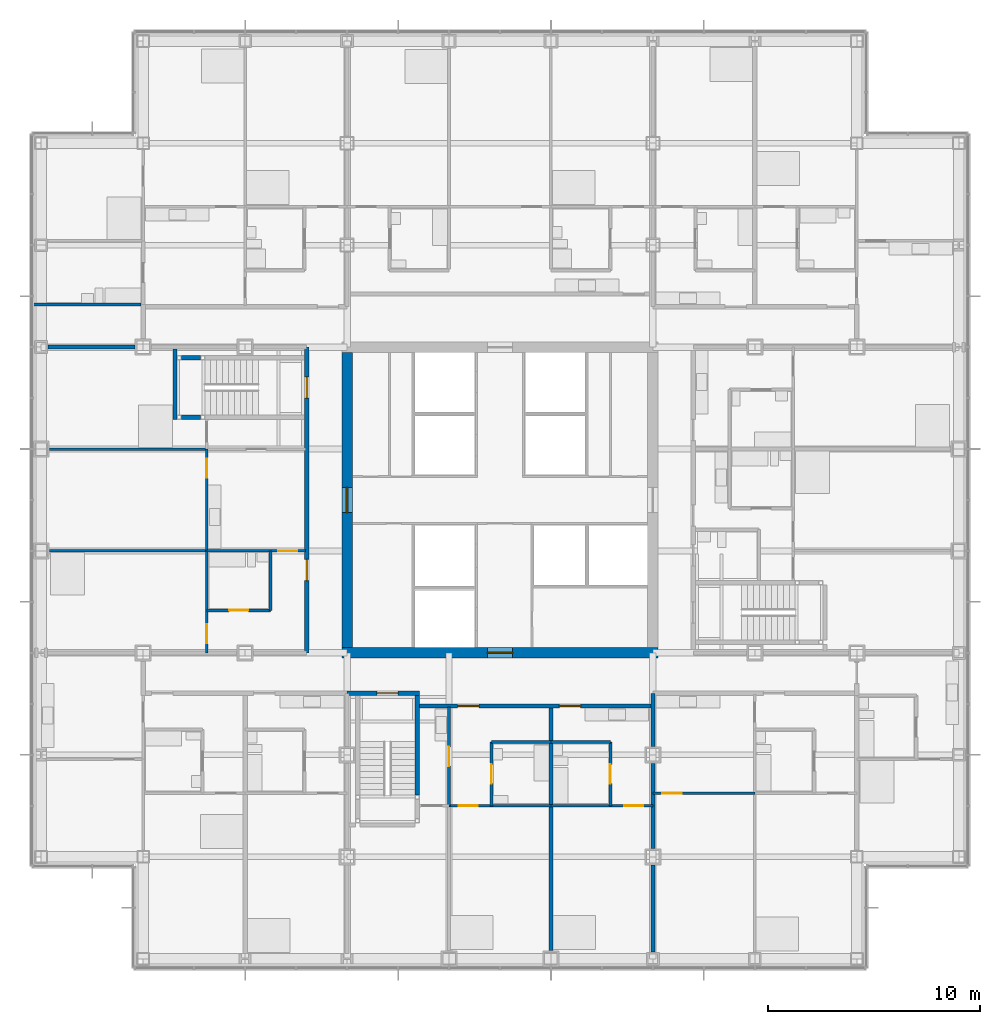
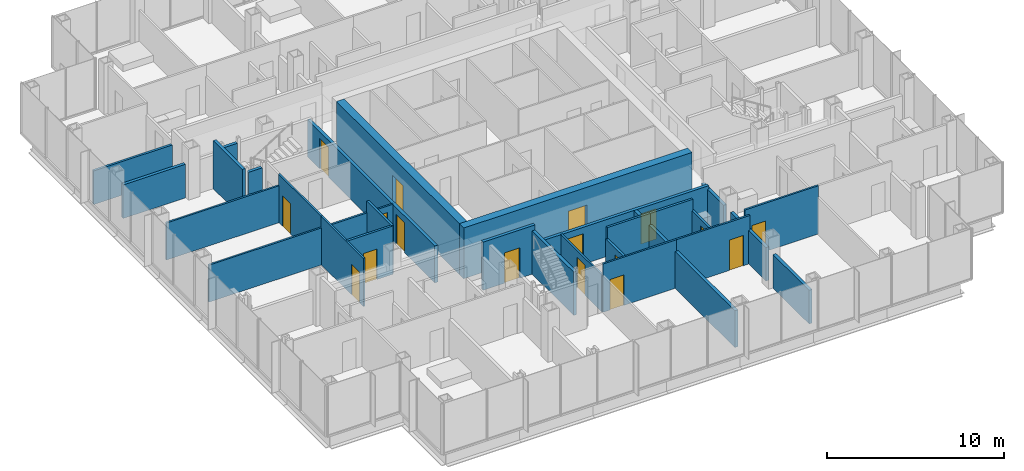
# One storey, part 14 of 21: 30 walls, 17 doors, 17 openings.
"""IFC4 building model written with IfcOpenShell, lengths in metres."""

from ifc_helpers import new_model, si_unit, direction, frame, frame_2d, origin, place, context, subcontext, project, spatial, rectangle, extrude, material, layer, layer_set, type_object, element, fill, save


model = new_model("IFC4")

# Units and contexts
model_context = context("Model", 3, precision=1e-05, world=origin(), true_north=direction((0.0, 1.0)))
body_context = subcontext(model_context, "Body", "Model", "MODEL_VIEW")
ifc_project = project(units=[si_unit("LENGTHUNIT", "METRE"), si_unit("AREAUNIT", "SQUARE_METRE"), si_unit("VOLUMEUNIT", "CUBIC_METRE"), si_unit("PLANEANGLEUNIT", "RADIAN"), si_unit("MASSUNIT", "GRAM", prefix="KILO")], contexts=[model_context])

# Site, building, storey
site_placement = place(None, origin())
site = spatial("IfcSite", under=ifc_project, at=site_placement, CompositionType="ELEMENT")
building_placement = place(site_placement, origin())
building = spatial("IfcBuilding", under=site, at=building_placement, Name="Kvirike Care Tower", CompositionType="ELEMENT")
storey_placement = place(building_placement, frame((0.0, 0.0, 44.5)))
storey = spatial("IfcBuildingStorey", under=building, at=storey_placement, Name="L11", CompositionType="ELEMENT", Elevation=44.5)

# Wall, opening, door
ifc_material_1 = material(Name="Moisture-resistant board partition", Category="gypsum")
ifc_layer_1 = layer(ifc_material_1, 0.14990234375)
ifc_layer_set_1 = layer_set([ifc_layer_1], Name="BATHROOM WALL 150")
wall_type_1 = type_object("IfcWallType", Name="BATHROOM WALL 150", PredefinedType="PARTITIONING", material=ifc_layer_set_1)
wall_1_placement = place(storey_placement, frame((7.800048828125, 30.800048828125, 0.0), z_axis=(0.0, 0.0, 1.0), x_axis=(1.0, 0.0, 0.0)))
wall_1 = element("IfcWall", 1, at=wall_1_placement, inside=storey, type_object=wall_type_1, Name="Bathroom Wall 150 L11", PredefinedType="PARTITIONING", context=body_context, shape_type="SweptSolid", body=[
    extrude(rectangle(XDim=3.0, YDim=0.14990234375, at=frame_2d((1.5, 0.0))), origin(), (0.0, 0.0, 1.0), 3.330078125),
])
opening_1_placement = place(wall_1_placement, frame((1.050048828125, 0.0, 0.0)))
opening_1 = element("IfcOpeningElement", 2, at=opening_1_placement, cuts=wall_1, Name="Opening 11-009", PredefinedType="OPENING", context=body_context, shape_type="SweptSolid", body=[
    extrude(rectangle(XDim=0.89990234375, YDim=2.10009765625, at=frame_2d((0.449951171875, 1.050048828125))), frame((0.0, 0.08544921875, 0.0), z_axis=(0.0, -1.0, 0.0), x_axis=(1.0, 0.0, 0.0)), (0.0, 0.0, 1.0), 0.1708984375),
])
ifc_material_2 = material(Name="Timber door set", Category="wood")
door_type_1 = type_object("IfcDoorType", Name="BATHROOM DOOR 900", OperationType="SINGLE_SWING_RIGHT", PredefinedType="DOOR", material=ifc_material_2)
door_1_placement = place(opening_1_placement, origin())
door_1 = element("IfcDoor", 3, at=door_1_placement, inside=storey, type_object=door_type_1, Name="Bathroom door", OperationType="SINGLE_SWING_LEFT", OverallHeight=2.10009765625, OverallWidth=0.89990234375, PredefinedType="DOOR", context=body_context, shape_type="SweptSolid", body=[
    extrude(rectangle(XDim=0.89990234375, YDim=2.10009765625, at=frame_2d((0.449951171875, 1.050048828125))), frame((0.0, 0.02197265625, 0.0), z_axis=(0.0, -1.0, 0.0), x_axis=(1.0, 0.0, 0.0)), (0.0, 0.0, 1.0), 0.0439453125),
])
fill(opening_1, door_1)

# Wall
wall_2_placement = place(storey_placement, frame((10.800048828125, 33.60009765625, 0.0), z_axis=(0.0, 0.0, 1.0), x_axis=(0.0, -1.0, 0.0)))
element("IfcWall", 4, at=wall_2_placement, inside=storey, type_object=wall_type_1, Name="Bathroom Wall 150 L11", PredefinedType="PARTITIONING", context=body_context, shape_type="SweptSolid", body=[
    extrude(rectangle(XDim=2.800048828125, YDim=0.14990234375, at=frame_2d((1.39990234375, 0.0))), origin(), (0.0, 0.0, 1.0), 3.330078125),
])

# Wall, opening, door
wall_3_placement = place(storey_placement, frame((21.199951171875, 21.60009765625, 0.0), z_axis=(0.0, 0.0, 1.0), x_axis=(0.0, 1.0, 0.0)))
wall_3 = element("IfcWall", 5, at=wall_3_placement, inside=storey, type_object=wall_type_1, Name="Bathroom Wall 150 L11", PredefinedType="PARTITIONING", context=body_context, shape_type="SweptSolid", body=[
    extrude(rectangle(XDim=3.0, YDim=0.14990234375, at=frame_2d((1.5, 0.0))), origin(), (0.0, 0.0, 1.0), 2.550048828125),
])
opening_2_placement = place(wall_3_placement, frame((1.050048828125, 0.0, 0.0)))
opening_2 = element("IfcOpeningElement", 6, at=opening_2_placement, cuts=wall_3, Name="Opening 11-025", PredefinedType="OPENING", context=body_context, shape_type="SweptSolid", body=[
    extrude(rectangle(XDim=0.89990234375, YDim=2.10009765625, at=frame_2d((0.449951171875, 1.050048828125))), frame((0.0, 0.08544921875, 0.0), z_axis=(0.0, -1.0, 0.0), x_axis=(1.0, 0.0, 0.0)), (0.0, 0.0, 1.0), 0.1708984375),
])
door_2_placement = place(opening_2_placement, frame((0.89990234375, 0.0, 0.0), z_axis=(0.0, 0.0, 1.0), x_axis=(-1.0, 0.0, 0.0)))
door_2 = element("IfcDoor", 7, at=door_2_placement, inside=storey, type_object=door_type_1, Name="Bathroom door", OperationType="SINGLE_SWING_LEFT", OverallHeight=2.10009765625, OverallWidth=0.89990234375, PredefinedType="DOOR", context=body_context, shape_type="SweptSolid", body=[
    extrude(rectangle(XDim=0.89990234375, YDim=2.10009765625, at=frame_2d((0.449951171875, 1.050048828125))), frame((0.0, 0.02197265625, 0.0), z_axis=(0.0, -1.0, 0.0), x_axis=(1.0, 0.0, 0.0)), (0.0, 0.0, 1.0), 0.0439453125),
])
fill(opening_2, door_2)

# Wall
wall_4_placement = place(storey_placement, frame((21.199951171875, 24.60009765625, 0.0), z_axis=(0.0, 0.0, 1.0), x_axis=(1.0, 0.0, 0.0)))
element("IfcWall", 8, at=wall_4_placement, inside=storey, type_object=wall_type_1, Name="Bathroom Wall 150 L11", PredefinedType="PARTITIONING", context=body_context, shape_type="SweptSolid", body=[
    extrude(rectangle(XDim=2.800048828125, YDim=0.14990234375, at=frame_2d((1.39990234375, 0.0))), origin(), (0.0, 0.0, 1.0), 3.330078125),
])

# Wall, opening, door
wall_5_placement = place(storey_placement, frame((26.800048828125, 21.60009765625, 0.0), z_axis=(0.0, 0.0, 1.0), x_axis=(0.0, 1.0, 0.0)))
wall_5 = element("IfcWall", 9, at=wall_5_placement, inside=storey, type_object=wall_type_1, Name="Bathroom Wall 150 L11", PredefinedType="PARTITIONING", context=body_context, shape_type="SweptSolid", body=[
    extrude(rectangle(XDim=3.0, YDim=0.14990234375, at=frame_2d((1.5, 0.0))), origin(), (0.0, 0.0, 1.0), 2.550048828125),
])
opening_3_placement = place(wall_5_placement, frame((1.050048828125, 0.0, 0.0)))
opening_3 = element("IfcOpeningElement", 10, at=opening_3_placement, cuts=wall_5, Name="Opening 11-029", PredefinedType="OPENING", context=body_context, shape_type="SweptSolid", body=[
    extrude(rectangle(XDim=0.89990234375, YDim=2.10009765625, at=frame_2d((0.449951171875, 1.050048828125))), frame((0.0, 0.08544921875, 0.0), z_axis=(0.0, -1.0, 0.0), x_axis=(1.0, 0.0, 0.0)), (0.0, 0.0, 1.0), 0.1708984375),
])
door_3_placement = place(opening_3_placement, origin())
door_3 = element("IfcDoor", 11, at=door_3_placement, inside=storey, type_object=door_type_1, Name="Bathroom door", OperationType="SINGLE_SWING_RIGHT", OverallHeight=2.10009765625, OverallWidth=0.89990234375, PredefinedType="DOOR", context=body_context, shape_type="SweptSolid", body=[
    extrude(rectangle(XDim=0.89990234375, YDim=2.10009765625, at=frame_2d((0.449951171875, 1.050048828125))), frame((0.0, 0.02197265625, 0.0), z_axis=(0.0, -1.0, 0.0), x_axis=(1.0, 0.0, 0.0)), (0.0, 0.0, 1.0), 0.0439453125),
])
fill(opening_3, door_3)

# Walls
wall_6_placement = place(storey_placement, frame((24.0, 24.60009765625, 0.0), z_axis=(0.0, 0.0, 1.0), x_axis=(1.0, 0.0, 0.0)))
element("IfcWall", 12, at=wall_6_placement, inside=storey, type_object=wall_type_1, Name="Bathroom Wall 150 L11", PredefinedType="PARTITIONING", context=body_context, shape_type="SweptSolid", body=[
    extrude(rectangle(XDim=2.800048828125, YDim=0.14990234375, at=frame_2d((1.39990234375, 0.0))), origin(), (0.0, 0.0, 1.0), 3.330078125),
])
wall_7_placement = place(storey_placement, frame((4.699951171875, 45.199951171875, 0.0), z_axis=(0.0, 0.0, 1.0), x_axis=(-1.0, 0.0, 0.0)))
element("IfcWall", 13, at=wall_7_placement, inside=storey, type_object=wall_type_1, Name="Bathroom Wall 150 L11", PredefinedType="PARTITIONING", context=body_context, shape_type="SweptSolid", body=[
    extrude(rectangle(XDim=5.135009765625, YDim=0.14990234375, at=frame_2d((2.5673828125, 0.0))), origin(), (0.0, 0.0, 1.0), 2.320068359375),
])

# Wall, opening, door
ifc_material_3 = material(Name="Concrete C60/75", Category="concrete")
ifc_layer_2 = layer(ifc_material_3, 0.5)
ifc_layer_set_2 = layer_set([ifc_layer_2], Name="CORE WALL 500 C60-75")
wall_type_2 = type_object("IfcWallType", Name="CORE WALL 500 C60-75", PredefinedType="SHEAR", material=ifc_layer_set_2)
wall_8_placement = place(storey_placement, frame((14.14990234375, 28.800048828125, -0.169921875), z_axis=(0.0, 0.0, 1.0), x_axis=(1.0, 0.0, 0.0)))
wall_8 = element("IfcWall", 14, at=wall_8_placement, inside=storey, type_object=wall_type_2, Name="Core wall S L11", PredefinedType="SHEAR", context=body_context, shape_type="SweptSolid", body=[
    extrude(rectangle(XDim=14.900146484375, YDim=0.5, at=frame_2d((7.4501953125, 0.0))), origin(), (0.0, 0.0, 1.0), 3.5),
])
opening_4_placement = place(wall_8_placement, frame((6.85009765625, 0.0, 0.169921875)))
opening_4 = element("IfcOpeningElement", 15, at=opening_4_placement, cuts=wall_8, Name="Opening 11-075", PredefinedType="OPENING", context=body_context, shape_type="SweptSolid", body=[
    extrude(rectangle(XDim=1.199951171875, YDim=2.10009765625, at=frame_2d((0.60009765625, 1.050048828125))), frame((0.0, 0.260498046875, 0.0), z_axis=(0.0, -1.0, 0.0), x_axis=(1.0, 0.0, 0.0)), (0.0, 0.0, 1.0), 0.52099609375),
])
ifc_material_4 = material(Name="Timber door set", Category="wood")
door_type_2 = type_object("IfcDoorType", Name="CORE DOOR 1200", OperationType="SINGLE_SWING_LEFT", PredefinedType="DOOR", material=ifc_material_4)
door_4_placement = place(opening_4_placement, origin())
door_4 = element("IfcDoor", 16, at=door_4_placement, inside=storey, type_object=door_type_2, Name="Core door S L11", OperationType="SINGLE_SWING_LEFT", OverallHeight=2.10009765625, OverallWidth=1.199951171875, PredefinedType="DOOR", context=body_context, shape_type="SweptSolid", body=[
    extrude(rectangle(XDim=1.199951171875, YDim=2.10009765625, at=frame_2d((0.60009765625, 1.050048828125))), frame((0.0, 0.02685546875, 0.0), z_axis=(0.0, -1.0, 0.0), x_axis=(1.0, 0.0, 0.0)), (0.0, 0.0, 1.0), 0.053955078125),
])
fill(opening_4, door_4)

wall_9_placement = place(storey_placement, frame((14.39990234375, 42.949951171875, -0.169921875), z_axis=(0.0, 0.0, 1.0), x_axis=(0.0, -1.0, 0.0)))
wall_9 = element("IfcWall", 17, at=wall_9_placement, inside=storey, type_object=wall_type_2, Name="Core wall W L11", PredefinedType="SHEAR", context=body_context, shape_type="SweptSolid", body=[
    extrude(rectangle(XDim=13.89990234375, YDim=0.5, at=frame_2d((6.949951171875, 0.0))), origin(), (0.0, 0.0, 1.0), 3.5),
])
opening_5_placement = place(wall_9_placement, frame((6.35009765625, 0.0, 0.169921875)))
opening_5 = element("IfcOpeningElement", 18, at=opening_5_placement, cuts=wall_9, Name="Opening 11-076", PredefinedType="OPENING", context=body_context, shape_type="SweptSolid", body=[
    extrude(rectangle(XDim=1.199951171875, YDim=2.10009765625, at=frame_2d((0.60009765625, 1.050048828125))), frame((0.0, 0.260498046875, 0.0), z_axis=(0.0, -1.0, 0.0), x_axis=(1.0, 0.0, 0.0)), (0.0, 0.0, 1.0), 0.52099609375),
])
door_5_placement = place(opening_5_placement, origin())
door_5 = element("IfcDoor", 19, at=door_5_placement, inside=storey, type_object=door_type_2, Name="Core door W L11", OperationType="SINGLE_SWING_LEFT", OverallHeight=2.10009765625, OverallWidth=1.199951171875, PredefinedType="DOOR", context=body_context, shape_type="SweptSolid", body=[
    extrude(rectangle(XDim=1.199951171875, YDim=2.10009765625, at=frame_2d((0.60009765625, 1.050048828125))), frame((0.0, 0.02685546875, 0.0), z_axis=(0.0, -1.0, 0.0), x_axis=(1.0, 0.0, 0.0)), (0.0, 0.0, 1.0), 0.053955078125),
])
fill(opening_5, door_5)

# Wall, openings, doors
ifc_material_5 = material(Name="Plasterboard corridor wall", Category="gypsum")
ifc_layer_3 = layer(ifc_material_5, 0.199951171875)
ifc_layer_set_3 = layer_set([ifc_layer_3], Name="CORRIDOR WALL 200")
wall_type_3 = type_object("IfcWallType", Name="CORRIDOR WALL 200", PredefinedType="PARTITIONING", material=ifc_layer_set_3)
wall_10_placement = place(storey_placement, frame((12.5, 43.199951171875, 0.0), z_axis=(0.0, 0.0, 1.0), x_axis=(0.0, -1.0, 0.0)))
wall_10 = element("IfcWall", 20, at=wall_10_placement, inside=storey, type_object=wall_type_3, Name="Corridor Wall 200 L11", PredefinedType="PARTITIONING", context=body_context, shape_type="SweptSolid", body=[
    extrude(rectangle(XDim=14.39990234375, YDim=0.199951171875, at=frame_2d((7.199951171875, 0.0))), origin(), (0.0, 0.0, 1.0), 2.550048828125),
])
opening_6_placement = place(wall_10_placement, frame((1.39990234375, 0.0, 0.0)))
opening_6 = element("IfcOpeningElement", 21, at=opening_6_placement, cuts=wall_10, Name="Opening 11-015", PredefinedType="OPENING", context=body_context, shape_type="SweptSolid", body=[
    extrude(rectangle(XDim=1.0, YDim=2.10009765625, at=frame_2d((0.5, 1.050048828125))), frame((0.0, 0.110595703125, 0.0), z_axis=(0.0, -1.0, 0.0), x_axis=(1.0, 0.0, 0.0)), (0.0, 0.0, 1.0), 0.220947265625),
])
opening_7_placement = place(wall_10_placement, frame((10.0, 0.0, 0.0)))
opening_7 = element("IfcOpeningElement", 22, at=opening_7_placement, cuts=wall_10, Name="Opening 11-016", PredefinedType="OPENING", context=body_context, shape_type="SweptSolid", body=[
    extrude(rectangle(XDim=1.0, YDim=2.10009765625, at=frame_2d((0.5, 1.050048828125))), frame((0.0, 0.110595703125, 0.0), z_axis=(0.0, -1.0, 0.0), x_axis=(1.0, 0.0, 0.0)), (0.0, 0.0, 1.0), 0.220947265625),
])
ifc_material_6 = material(Name="Timber door set", Category="wood")
door_type_3 = type_object("IfcDoorType", Name="FLAT ENTRANCE DOOR 1000", OperationType="SINGLE_SWING_LEFT", PredefinedType="DOOR", material=ifc_material_6)
door_6_placement = place(opening_7_placement, frame((1.0, 0.0, 0.0), z_axis=(0.0, 0.0, 1.0), x_axis=(-1.0, 0.0, 0.0)))
door_6 = element("IfcDoor", 23, at=door_6_placement, inside=storey, type_object=door_type_3, Name="Two-bedroom apartment entrance", OperationType="SINGLE_SWING_LEFT", OverallHeight=2.10009765625, OverallWidth=1.0, PredefinedType="DOOR", context=body_context, shape_type="SweptSolid", body=[
    extrude(rectangle(XDim=1.0, YDim=2.10009765625, at=frame_2d((0.5, 1.050048828125))), frame((0.0, 0.02685546875, 0.0), z_axis=(0.0, -1.0, 0.0), x_axis=(1.0, 0.0, 0.0)), (0.0, 0.0, 1.0), 0.053955078125),
])
fill(opening_7, door_6)
ifc_material_7 = material(Name="Timber door set", Category="wood")
door_type_4 = type_object("IfcDoorType", Name="STAIR DOOR 1000", OperationType="SINGLE_SWING_LEFT", PredefinedType="DOOR", material=ifc_material_7)
door_7_placement = place(opening_6_placement, frame((1.0, 0.0, 0.0), z_axis=(0.0, 0.0, 1.0), x_axis=(-1.0, 0.0, 0.0)))
door_7 = element("IfcDoor", 24, at=door_7_placement, inside=storey, type_object=door_type_4, Name="Stair 1 door", OperationType="SINGLE_SWING_RIGHT", OverallHeight=2.10009765625, OverallWidth=1.0, PredefinedType="DOOR", context=body_context, shape_type="SweptSolid", body=[
    extrude(rectangle(XDim=1.0, YDim=2.10009765625, at=frame_2d((0.5, 1.050048828125))), frame((0.0, 0.031982421875, 0.0), z_axis=(0.0, -1.0, 0.0), x_axis=(1.0, 0.0, 0.0)), (0.0, 0.0, 1.0), 0.06396484375),
])
fill(opening_6, door_7)

wall_11_placement = place(storey_placement, frame((17.800048828125, 26.300048828125, 0.0), z_axis=(0.0, 0.0, 1.0), x_axis=(1.0, 0.0, 0.0)))
wall_11 = element("IfcWall", 25, at=wall_11_placement, inside=storey, type_object=wall_type_3, Name="Corridor Wall 200 L11", PredefinedType="PARTITIONING", context=body_context, shape_type="SweptSolid", body=[
    extrude(rectangle(XDim=11.0, YDim=0.199951171875, at=frame_2d((5.5, 0.0))), origin(), (0.0, 0.0, 1.0), 2.550048828125),
])
opening_8_placement = place(wall_11_placement, frame((1.800048828125, 0.0, 0.0)))
opening_8 = element("IfcOpeningElement", 26, at=opening_8_placement, cuts=wall_11, Name="Opening 11-031", PredefinedType="OPENING", context=body_context, shape_type="SweptSolid", body=[
    extrude(rectangle(XDim=1.0, YDim=2.10009765625, at=frame_2d((0.5, 1.050048828125))), frame((0.0, 0.110595703125, 0.0), z_axis=(0.0, -1.0, 0.0), x_axis=(1.0, 0.0, 0.0)), (0.0, 0.0, 1.0), 0.220947265625),
])
opening_9_placement = place(wall_11_placement, frame((6.60009765625, 0.0, 0.0)))
opening_9 = element("IfcOpeningElement", 27, at=opening_9_placement, cuts=wall_11, Name="Opening 11-032", PredefinedType="OPENING", context=body_context, shape_type="SweptSolid", body=[
    extrude(rectangle(XDim=1.0, YDim=2.10009765625, at=frame_2d((0.5, 1.050048828125))), frame((0.0, 0.110595703125, 0.0), z_axis=(0.0, -1.0, 0.0), x_axis=(1.0, 0.0, 0.0)), (0.0, 0.0, 1.0), 0.220947265625),
])
door_8_placement = place(opening_8_placement, frame((1.0, 0.0, 0.0), z_axis=(0.0, 0.0, 1.0), x_axis=(-1.0, 0.0, 0.0)))
door_8 = element("IfcDoor", 28, at=door_8_placement, inside=storey, type_object=door_type_3, Name="One-bedroom apartment entrance", OperationType="SINGLE_SWING_LEFT", OverallHeight=2.10009765625, OverallWidth=1.0, PredefinedType="DOOR", context=body_context, shape_type="SweptSolid", body=[
    extrude(rectangle(XDim=1.0, YDim=2.10009765625, at=frame_2d((0.5, 1.050048828125))), frame((0.0, 0.02685546875, 0.0), z_axis=(0.0, -1.0, 0.0), x_axis=(1.0, 0.0, 0.0)), (0.0, 0.0, 1.0), 0.053955078125),
])
fill(opening_8, door_8)
door_9_placement = place(opening_9_placement, frame((1.0, 0.0, 0.0), z_axis=(0.0, 0.0, 1.0), x_axis=(-1.0, 0.0, 0.0)))
door_9 = element("IfcDoor", 29, at=door_9_placement, inside=storey, type_object=door_type_3, Name="Studio apartment entrance", OperationType="SINGLE_SWING_RIGHT", OverallHeight=2.10009765625, OverallWidth=1.0, PredefinedType="DOOR", context=body_context, shape_type="SweptSolid", body=[
    extrude(rectangle(XDim=1.0, YDim=2.10009765625, at=frame_2d((0.5, 1.050048828125))), frame((0.0, 0.02685546875, 0.0), z_axis=(0.0, -1.0, 0.0), x_axis=(1.0, 0.0, 0.0)), (0.0, 0.0, 1.0), 0.053955078125),
])
fill(opening_9, door_9)

# Wall, opening, door
ifc_material_8 = material(Name="Plasterboard partition", Category="gypsum")
ifc_layer_4 = layer(ifc_material_8, 0.1201171875)
ifc_layer_set_4 = layer_set([ifc_layer_4], Name="PARTITION 120")
wall_type_4 = type_object("IfcWallType", Name="PARTITION 120", PredefinedType="PARTITIONING", material=ifc_layer_set_4)
wall_12_placement = place(storey_placement, frame((7.800048828125, 33.60009765625, 0.0), z_axis=(0.0, 0.0, 1.0), x_axis=(1.0, 0.0, 0.0)))
wall_12 = element("IfcWall", 30, at=wall_12_placement, inside=storey, type_object=wall_type_4, Name="Partition 120 L11", PredefinedType="PARTITIONING", context=body_context, shape_type="SweptSolid", body=[
    extrude(rectangle(XDim=4.64990234375, YDim=0.1201171875, at=frame_2d((2.324951171875, 0.0))), origin(), (0.0, 0.0, 1.0), 2.550048828125),
])
opening_10_placement = place(wall_12_placement, frame((3.35009765625, 0.0, 0.0)))
opening_10 = element("IfcOpeningElement", 31, at=opening_10_placement, cuts=wall_12, Name="Opening 11-011", PredefinedType="OPENING", context=body_context, shape_type="SweptSolid", body=[
    extrude(rectangle(XDim=0.89990234375, YDim=2.10009765625, at=frame_2d((0.449951171875, 1.050048828125))), frame((0.0, 0.070556640625, 0.0), z_axis=(0.0, -1.0, 0.0), x_axis=(1.0, 0.0, 0.0)), (0.0, 0.0, 1.0), 0.14111328125),
])
ifc_material_9 = material(Name="Timber door set", Category="wood")
door_type_5 = type_object("IfcDoorType", Name="INTERNAL DOOR 900", OperationType="SINGLE_SWING_LEFT", PredefinedType="DOOR", material=ifc_material_9)
door_10_placement = place(opening_10_placement, origin())
door_10 = element("IfcDoor", 32, at=door_10_placement, inside=storey, type_object=door_type_5, Name="Hall door", OperationType="SINGLE_SWING_LEFT", OverallHeight=2.10009765625, OverallWidth=0.89990234375, PredefinedType="DOOR", context=body_context, shape_type="SweptSolid", body=[
    extrude(rectangle(XDim=0.89990234375, YDim=2.10009765625, at=frame_2d((0.449951171875, 1.050048828125))), frame((0.0, 0.02197265625, 0.0), z_axis=(0.0, -1.0, 0.0), x_axis=(1.0, 0.0, 0.0)), (0.0, 0.0, 1.0), 0.0439453125),
])
fill(opening_10, door_10)

wall_13_placement = place(storey_placement, frame((7.800048828125, 38.39990234375, 0.0), z_axis=(0.0, 0.0, 1.0), x_axis=(0.0, -1.0, 0.0)))
wall_13 = element("IfcWall", 33, at=wall_13_placement, inside=storey, type_object=wall_type_4, Name="Partition 120 L11", PredefinedType="PARTITIONING", context=body_context, shape_type="SweptSolid", body=[
    extrude(rectangle(XDim=4.7998046875, YDim=0.1201171875, at=frame_2d((2.39990234375, 0.0))), origin(), (0.0, 0.0, 1.0), 3.330078125),
])
opening_11_placement = place(wall_13_placement, frame((0.449951171875, 0.0, 0.0)))
opening_11 = element("IfcOpeningElement", 34, at=opening_11_placement, cuts=wall_13, Name="Opening 11-013", PredefinedType="OPENING", context=body_context, shape_type="SweptSolid", body=[
    extrude(rectangle(XDim=0.89990234375, YDim=2.10009765625, at=frame_2d((0.449951171875, 1.050048828125))), frame((0.0, 0.070556640625, 0.0), z_axis=(0.0, -1.0, 0.0), x_axis=(1.0, 0.0, 0.0)), (0.0, 0.0, 1.0), 0.14111328125),
])
door_11_placement = place(opening_11_placement, origin())
door_11 = element("IfcDoor", 35, at=door_11_placement, inside=storey, type_object=door_type_5, Name="Apartment living room door", OperationType="SINGLE_SWING_RIGHT", OverallHeight=2.10009765625, OverallWidth=0.89990234375, PredefinedType="DOOR", context=body_context, shape_type="SweptSolid", body=[
    extrude(rectangle(XDim=0.89990234375, YDim=2.10009765625, at=frame_2d((0.449951171875, 1.050048828125))), frame((0.0, 0.02197265625, 0.0), z_axis=(0.0, -1.0, 0.0), x_axis=(1.0, 0.0, 0.0)), (0.0, 0.0, 1.0), 0.0439453125),
])
fill(opening_11, door_11)

wall_14_placement = place(storey_placement, frame((7.800048828125, 33.60009765625, 0.0), z_axis=(0.0, 0.0, 1.0), x_axis=(0.0, -1.0, 0.0)))
wall_14 = element("IfcWall", 36, at=wall_14_placement, inside=storey, type_object=wall_type_4, Name="Partition 120 L11", PredefinedType="PARTITIONING", context=body_context, shape_type="SweptSolid", body=[
    extrude(rectangle(XDim=4.800048828125, YDim=0.1201171875, at=frame_2d((2.39990234375, 0.0))), origin(), (0.0, 0.0, 1.0), 3.330078125),
])
opening_12_placement = place(wall_14_placement, frame((3.449951171875, 0.0, 0.0)))
opening_12 = element("IfcOpeningElement", 37, at=opening_12_placement, cuts=wall_14, Name="Opening 11-014", PredefinedType="OPENING", context=body_context, shape_type="SweptSolid", body=[
    extrude(rectangle(XDim=0.89990234375, YDim=2.10009765625, at=frame_2d((0.449951171875, 1.050048828125))), frame((0.0, 0.070556640625, 0.0), z_axis=(0.0, -1.0, 0.0), x_axis=(1.0, 0.0, 0.0)), (0.0, 0.0, 1.0), 0.14111328125),
])
door_12_placement = place(opening_12_placement, origin())
door_12 = element("IfcDoor", 38, at=door_12_placement, inside=storey, type_object=door_type_5, Name="Apartment bedroom door", OperationType="SINGLE_SWING_LEFT", OverallHeight=2.10009765625, OverallWidth=0.89990234375, PredefinedType="DOOR", context=body_context, shape_type="SweptSolid", body=[
    extrude(rectangle(XDim=0.89990234375, YDim=2.10009765625, at=frame_2d((0.449951171875, 1.050048828125))), frame((0.0, 0.02197265625, 0.0), z_axis=(0.0, -1.0, 0.0), x_axis=(1.0, 0.0, 0.0)), (0.0, 0.0, 1.0), 0.0439453125),
])
fill(opening_12, door_12)

# Walls
for number, where, z_axis, x_axis, name in (
    (39, (0.39501953125, 38.39990234375, 0.0), (0.0, 0.0, 1.0), (1.0, 0.0, 0.0), "Partition 120 L11"),
    (40, (0.39501953125, 33.60009765625, 0.0), (0.0, 0.0, 1.0), (1.0, 0.0, 0.0), "Partition 120 L11"),
):
    element("IfcWall", number, at=place(storey_placement, frame(where, z_axis=z_axis, x_axis=x_axis)), inside=storey, type_object=wall_type_4, Name=name, PredefinedType="PARTITIONING", context=body_context, shape_type="SweptSolid", body=[
        extrude(rectangle(XDim=7.405029296875, YDim=0.1201171875, at=frame_2d((3.70263671875, 0.0))), origin(), (0.0, 0.0, 1.0), 2.550048828125),
    ])

# Wall, opening, door
wall_15_placement = place(storey_placement, frame((19.199951171875, 21.60009765625, 0.0), z_axis=(0.0, 0.0, 1.0), x_axis=(0.0, 1.0, 0.0)))
wall_15 = element("IfcWall", 41, at=wall_15_placement, inside=storey, type_object=wall_type_4, Name="Partition 120 L11", PredefinedType="PARTITIONING", context=body_context, shape_type="SweptSolid", body=[
    extrude(rectangle(XDim=4.64990234375, YDim=0.1201171875, at=frame_2d((2.324951171875, 0.0))), origin(), (0.0, 0.0, 1.0), 2.550048828125),
])
opening_13_placement = place(wall_15_placement, frame((1.875, 0.0, 0.0)))
opening_13 = element("IfcOpeningElement", 42, at=opening_13_placement, cuts=wall_15, Name="Opening 11-026", PredefinedType="OPENING", context=body_context, shape_type="SweptSolid", body=[
    extrude(rectangle(XDim=0.89990234375, YDim=2.10009765625, at=frame_2d((0.449951171875, 1.050048828125))), frame((0.0, 0.070556640625, 0.0), z_axis=(0.0, -1.0, 0.0), x_axis=(1.0, 0.0, 0.0)), (0.0, 0.0, 1.0), 0.14111328125),
])
door_13_placement = place(opening_13_placement, origin())
door_13 = element("IfcDoor", 43, at=door_13_placement, inside=storey, type_object=door_type_5, Name="Hall door", OperationType="SINGLE_SWING_LEFT", OverallHeight=2.10009765625, OverallWidth=0.89990234375, PredefinedType="DOOR", context=body_context, shape_type="SweptSolid", body=[
    extrude(rectangle(XDim=0.89990234375, YDim=2.10009765625, at=frame_2d((0.449951171875, 1.050048828125))), frame((0.0, 0.02197265625, 0.0), z_axis=(0.0, -1.0, 0.0), x_axis=(1.0, 0.0, 0.0)), (0.0, 0.0, 1.0), 0.0439453125),
])
fill(opening_13, door_13)

wall_16_placement = place(storey_placement, frame((19.199951171875, 21.60009765625, 0.0), z_axis=(0.0, 0.0, 1.0), x_axis=(1.0, 0.0, 0.0)))
wall_16 = element("IfcWall", 44, at=wall_16_placement, inside=storey, type_object=wall_type_4, Name="Partition 120 L11", PredefinedType="PARTITIONING", context=body_context, shape_type="SweptSolid", body=[
    extrude(rectangle(XDim=4.800048828125, YDim=0.1201171875, at=frame_2d((2.39990234375, 0.0))), origin(), (0.0, 0.0, 1.0), 3.330078125),
])
opening_14_placement = place(wall_16_placement, frame((0.449951171875, 0.0, 0.0)))
opening_14 = element("IfcOpeningElement", 45, at=opening_14_placement, cuts=wall_16, Name="Opening 11-028", PredefinedType="OPENING", context=body_context, shape_type="SweptSolid", body=[
    extrude(rectangle(XDim=0.89990234375, YDim=2.10009765625, at=frame_2d((0.449951171875, 1.050048828125))), frame((0.0, 0.070556640625, 0.0), z_axis=(0.0, -1.0, 0.0), x_axis=(1.0, 0.0, 0.0)), (0.0, 0.0, 1.0), 0.14111328125),
])
door_14_placement = place(opening_14_placement, origin())
door_14 = element("IfcDoor", 46, at=door_14_placement, inside=storey, type_object=door_type_5, Name="Apartment bedroom door", OperationType="SINGLE_SWING_RIGHT", OverallHeight=2.10009765625, OverallWidth=0.89990234375, PredefinedType="DOOR", context=body_context, shape_type="SweptSolid", body=[
    extrude(rectangle(XDim=0.89990234375, YDim=2.10009765625, at=frame_2d((0.449951171875, 1.050048828125))), frame((0.0, 0.02197265625, 0.0), z_axis=(0.0, -1.0, 0.0), x_axis=(1.0, 0.0, 0.0)), (0.0, 0.0, 1.0), 0.0439453125),
])
fill(opening_14, door_14)

wall_17_placement = place(storey_placement, frame((24.0, 21.60009765625, 0.0), z_axis=(0.0, 0.0, 1.0), x_axis=(1.0, 0.0, 0.0)))
wall_17 = element("IfcWall", 47, at=wall_17_placement, inside=storey, type_object=wall_type_4, Name="Partition 120 L11", PredefinedType="PARTITIONING", context=body_context, shape_type="SweptSolid", body=[
    extrude(rectangle(XDim=4.800048828125, YDim=0.1201171875, at=frame_2d((2.39990234375, 0.0))), origin(), (0.0, 0.0, 1.0), 3.330078125),
])
opening_15_placement = place(wall_17_placement, frame((3.449951171875, 0.0, 0.0)))
opening_15 = element("IfcOpeningElement", 48, at=opening_15_placement, cuts=wall_17, Name="Opening 11-030", PredefinedType="OPENING", context=body_context, shape_type="SweptSolid", body=[
    extrude(rectangle(XDim=0.89990234375, YDim=2.10009765625, at=frame_2d((0.449951171875, 1.050048828125))), frame((0.0, 0.070556640625, 0.0), z_axis=(0.0, -1.0, 0.0), x_axis=(1.0, 0.0, 0.0)), (0.0, 0.0, 1.0), 0.14111328125),
])
door_15_placement = place(opening_15_placement, origin())
door_15 = element("IfcDoor", 49, at=door_15_placement, inside=storey, type_object=door_type_5, Name="Studio apartment living room door", OperationType="SINGLE_SWING_LEFT", OverallHeight=2.10009765625, OverallWidth=0.89990234375, PredefinedType="DOOR", context=body_context, shape_type="SweptSolid", body=[
    extrude(rectangle(XDim=0.89990234375, YDim=2.10009765625, at=frame_2d((0.449951171875, 1.050048828125))), frame((0.0, 0.02197265625, 0.0), z_axis=(0.0, -1.0, 0.0), x_axis=(1.0, 0.0, 0.0)), (0.0, 0.0, 1.0), 0.0439453125),
])
fill(opening_15, door_15)

wall_18_placement = place(storey_placement, frame((28.800048828125, 22.199951171875, 0.0), z_axis=(0.0, 0.0, 1.0), x_axis=(1.0, 0.0, 0.0)))
wall_18 = element("IfcWall", 50, at=wall_18_placement, inside=storey, type_object=wall_type_4, Name="Partition 120 L11", PredefinedType="PARTITIONING", context=body_context, shape_type="SweptSolid", body=[
    extrude(rectangle(XDim=4.800048828125, YDim=0.1201171875, at=frame_2d((2.39990234375, 0.0))), origin(), (0.0, 0.0, 1.0), 3.330078125),
])
opening_16_placement = place(wall_18_placement, frame((0.449951171875, 0.0, 0.0)))
opening_16 = element("IfcOpeningElement", 51, at=opening_16_placement, cuts=wall_18, Name="Opening 11-041", PredefinedType="OPENING", context=body_context, shape_type="SweptSolid", body=[
    extrude(rectangle(XDim=0.89990234375, YDim=2.10009765625, at=frame_2d((0.449951171875, 1.050048828125))), frame((0.0, 0.070556640625, 0.0), z_axis=(0.0, -1.0, 0.0), x_axis=(1.0, 0.0, 0.0)), (0.0, 0.0, 1.0), 0.14111328125),
])
door_16_placement = place(opening_16_placement, origin())
door_16 = element("IfcDoor", 52, at=door_16_placement, inside=storey, type_object=door_type_5, Name="Apartment living room door", OperationType="SINGLE_SWING_RIGHT", OverallHeight=2.10009765625, OverallWidth=0.89990234375, PredefinedType="DOOR", context=body_context, shape_type="SweptSolid", body=[
    extrude(rectangle(XDim=0.89990234375, YDim=2.10009765625, at=frame_2d((0.449951171875, 1.050048828125))), frame((0.0, 0.02197265625, 0.0), z_axis=(0.0, -1.0, 0.0), x_axis=(1.0, 0.0, 0.0)), (0.0, 0.0, 1.0), 0.0439453125),
])
fill(opening_16, door_16)

# Walls
ifc_material_10 = material(Name="Plasterboard party wall", Category="gypsum")
ifc_layer_5 = layer(ifc_material_10, 0.199951171875)
ifc_layer_set_5 = layer_set([ifc_layer_5], Name="PARTY WALL 200")
wall_type_5 = type_object("IfcWallType", Name="PARTY WALL 200", PredefinedType="PARTITIONING", material=ifc_layer_set_5)
wall_19_placement = place(storey_placement, frame((24.0, 14.794921875, 0.0), z_axis=(0.0, 0.0, 1.0), x_axis=(0.0, 1.0, 0.0)))
element("IfcWall", 53, at=wall_19_placement, inside=storey, type_object=wall_type_5, Name="Party Wall 200 L11", PredefinedType="PARTITIONING", context=body_context, shape_type="SweptSolid", body=[
    extrude(rectangle(XDim=11.405029296875, YDim=0.199951171875, at=frame_2d((5.70263671875, 0.0))), origin(), (0.0, 0.0, 1.0), 2.550048828125),
])
for number, where, z_axis, x_axis, name in (
    (54, (4.405029296875, 43.199951171875, 0.0), (0.0, 0.0, 1.0), (-1.0, 0.0, 0.0), "Party Wall 200 L11"),
    (55, (28.800048828125, 14.719970703125, 0.0), (0.0, 0.0, 1.0), (0.0, 1.0, 0.0), "Party Wall 200 L11"),
):
    element("IfcWall", number, at=place(storey_placement, frame(where, z_axis=z_axis, x_axis=x_axis)), inside=storey, type_object=wall_type_5, Name=name, PredefinedType="PARTITIONING", context=body_context, shape_type="SweptSolid", body=[
        extrude(rectangle(XDim=4.0849609375, YDim=0.199951171875, at=frame_2d((2.04248046875, 0.0))), origin(), (0.0, 0.0, 1.0), 2.320068359375),
    ])
wall_20_placement = place(storey_placement, frame((28.800048828125, 19.594970703125, 0.0), z_axis=(0.0, 0.0, 1.0), x_axis=(0.0, 1.0, 0.0)))
element("IfcWall", 56, at=wall_20_placement, inside=storey, type_object=wall_type_5, Name="Party Wall 200 L11", PredefinedType="PARTITIONING", context=body_context, shape_type="SweptSolid", body=[
    extrude(rectangle(XDim=4.010009765625, YDim=0.199951171875, at=frame_2d((2.0048828125, 0.0))), origin(), (0.0, 0.0, 1.0), 2.320068359375),
])
wall_21_placement = place(storey_placement, frame((28.800048828125, 24.39501953125, 0.0), z_axis=(0.0, 0.0, 1.0), x_axis=(0.0, 1.0, 0.0)))
element("IfcWall", 57, at=wall_21_placement, inside=storey, type_object=wall_type_5, Name="Party Wall 200 L11", PredefinedType="PARTITIONING", context=body_context, shape_type="SweptSolid", body=[
    extrude(rectangle(XDim=2.5048828125, YDim=0.199951171875, at=frame_2d((1.25244140625, 0.0))), origin(), (0.0, 0.0, 1.0), 2.320068359375),
])
ifc_material_11 = material(Name="Concrete C40/50", Category="concrete")
ifc_layer_6 = layer(ifc_material_11, 0.199951171875)
ifc_layer_set_6 = layer_set([ifc_layer_6], Name="STAIR WALL 200")
wall_type_6 = type_object("IfcWallType", Name="STAIR WALL 200", PredefinedType="SOLIDWALL", material=ifc_layer_set_6)
for number, where, z_axis, x_axis, name in (
    (58, (6.60009765625, 42.699951171875, 0.0), (0.0, 0.0, 1.0), (1.0, 0.0, 0.0), "Stair Wall 200 L11"),
    (59, (6.60009765625, 39.89990234375, 0.0), (0.0, 0.0, 1.0), (1.0, 0.0, 0.0), "Stair Wall 200 L11"),
):
    element("IfcWall", number, at=place(storey_placement, frame(where, z_axis=z_axis, x_axis=x_axis)), inside=storey, type_object=wall_type_6, Name=name, PredefinedType="SOLIDWALL", context=body_context, shape_type="SweptSolid", body=[
        extrude(rectangle(XDim=0.89990234375, YDim=0.199951171875, at=frame_2d((0.449951171875, 0.0))), origin(), (0.0, 0.0, 1.0), 2.989990234375),
    ])
wall_22_placement = place(storey_placement, frame((6.300048828125, 43.10009765625, 0.0), z_axis=(0.0, 0.0, 1.0), x_axis=(0.0, -1.0, 0.0)))
element("IfcWall", 60, at=wall_22_placement, inside=storey, type_object=wall_type_6, Name="Stair Wall 200 L11", PredefinedType="SOLIDWALL", context=body_context, shape_type="SweptSolid", body=[
    extrude(rectangle(XDim=3.300048828125, YDim=0.199951171875, at=frame_2d((1.64990234375, 0.0))), origin(), (0.0, 0.0, 1.0), 3.330078125),
])
wall_23_placement = place(storey_placement, frame((17.699951171875, 22.10009765625, 0.0), z_axis=(0.0, 0.0, 1.0), x_axis=(0.0, 1.0, 0.0)))
element("IfcWall", 61, at=wall_23_placement, inside=storey, type_object=wall_type_6, Name="Stair Wall 200 L11", PredefinedType="SOLIDWALL", context=body_context, shape_type="SweptSolid", body=[
    extrude(rectangle(XDim=4.699951171875, YDim=0.199951171875, at=frame_2d((2.35009765625, 0.0))), origin(), (0.0, 0.0, 1.0), 2.989990234375),
])

# Wall, opening, door
wall_24_placement = place(storey_placement, frame((14.39990234375, 26.89990234375, 0.0), z_axis=(0.0, 0.0, 1.0), x_axis=(1.0, 0.0, 0.0)))
wall_24 = element("IfcWall", 62, at=wall_24_placement, inside=storey, type_object=wall_type_6, Name="Stair Wall 200 L11", PredefinedType="SOLIDWALL", context=body_context, shape_type="SweptSolid", body=[
    extrude(rectangle(XDim=3.400146484375, YDim=0.199951171875, at=frame_2d((1.7001953125, 0.0))), origin(), (0.0, 0.0, 1.0), 3.330078125),
])
opening_17_placement = place(wall_24_placement, frame((1.39990234375, 0.0, 0.0)))
opening_17 = element("IfcOpeningElement", 63, at=opening_17_placement, cuts=wall_24, Name="Opening 11-024", PredefinedType="OPENING", context=body_context, shape_type="SweptSolid", body=[
    extrude(rectangle(XDim=1.0, YDim=2.10009765625, at=frame_2d((0.5, 1.050048828125))), frame((0.0, 0.110595703125, 0.0), z_axis=(0.0, -1.0, 0.0), x_axis=(1.0, 0.0, 0.0)), (0.0, 0.0, 1.0), 0.220947265625),
])
door_17_placement = place(opening_17_placement, frame((1.0, 0.0, 0.0), z_axis=(0.0, 0.0, 1.0), x_axis=(-1.0, 0.0, 0.0)))
door_17 = element("IfcDoor", 64, at=door_17_placement, inside=storey, type_object=door_type_4, Name="Stair 5 door", OperationType="SINGLE_SWING_LEFT", OverallHeight=2.10009765625, OverallWidth=1.0, PredefinedType="DOOR", context=body_context, shape_type="SweptSolid", body=[
    extrude(rectangle(XDim=1.0, YDim=2.10009765625, at=frame_2d((0.5, 1.050048828125))), frame((0.0, 0.031982421875, 0.0), z_axis=(0.0, -1.0, 0.0), x_axis=(1.0, 0.0, 0.0)), (0.0, 0.0, 1.0), 0.06396484375),
])
fill(opening_17, door_17)

save(model, "model.ifc")
